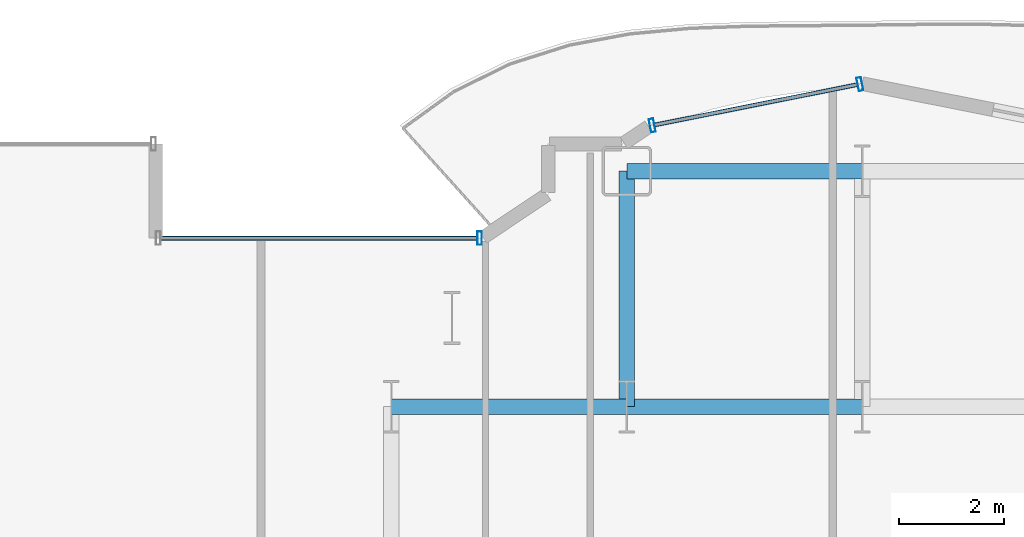
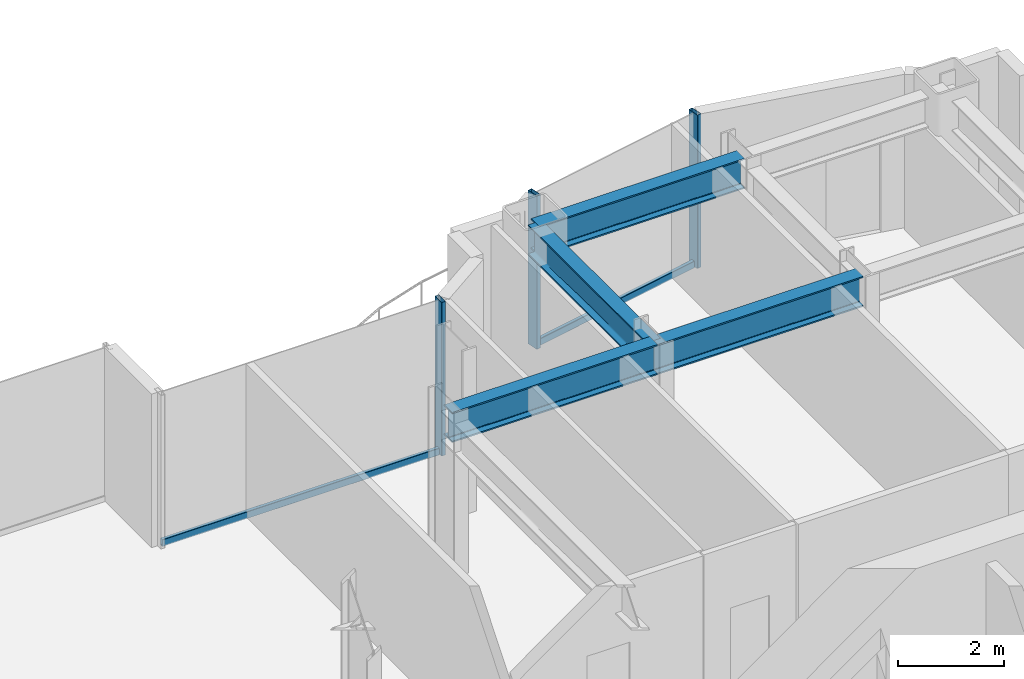
# One storey, part 13 of 29: 5 members, 4 beams, 2 elements without a shape of their own.
"""IFC4 building model written with IfcOpenShell, lengths in metres."""

from ifc_helpers import new_model, si_unit, direction, frame, origin, origin_2d, place, context, subcontext, project, spatial, hollow_rectangle, i_section, extrude, source, transform, mapped, material, layer, layer_set, material_profile, profile_set, type_object, element, aggregate, save


model = new_model("IFC4")

# Units and contexts
model_context = context("Model", 3, precision=1e-05, world=origin(), true_north=direction((0.0, 1.0)))
body_context = subcontext(model_context, "Body", "Model", "MODEL_VIEW")
ifc_project = project(units=[si_unit("LENGTHUNIT", "METRE"), si_unit("AREAUNIT", "SQUARE_METRE"), si_unit("VOLUMEUNIT", "CUBIC_METRE"), si_unit("PLANEANGLEUNIT", "RADIAN"), si_unit("MASSUNIT", "GRAM", prefix="KILO")], contexts=[model_context])

# Site, building, storey
site_placement = place(None, origin())
site = spatial("IfcSite", under=ifc_project, at=site_placement, CompositionType="ELEMENT")
building_placement = place(site_placement, origin())
building = spatial("IfcBuilding", under=site, at=building_placement, Name="Nefas-Gora Pilgrimage Tower", CompositionType="ELEMENT")
storey_placement = place(building_placement, frame((0.0, 0.0, 67.199951171875)))
storey = spatial("IfcBuildingStorey", under=building, at=storey_placement, Name="L15", CompositionType="ELEMENT", Elevation=67.199951171875)

# Beams
ifc_material_1 = material(Name="Steel S355", Category="steel")
ifc_material_profile_1 = material_profile(ifc_material_1, i_section(OverallWidth=0.300048828125, OverallDepth=0.699951171875, WebThickness=0.01708984375, FlangeThickness=0.031982421875, FilletRadius=0.027099609375, at=origin_2d()), Name="HEB 700")
ifc_profile_set_1 = profile_set([ifc_material_profile_1], Name="Steel S355")
beam_type = type_object("IfcBeamType", Name="BM-GIR-HEB700", PredefinedType="BEAM", material=ifc_profile_set_1)
shared_shape_1 = source(origin(), body_context, "Body", "SweptSolid", [
    extrude(i_section(OverallWidth=0.300048828125, OverallDepth=0.699951171875, WebThickness=0.01708984375, FlangeThickness=0.031982421875, FilletRadius=0.027099609375, at=origin_2d()), origin(), (0.0, 0.0, 1.0), 4.5),
])
for number, where, z_axis, x_axis, name in (
    (1, (-11.25, 18.0, 3.199951171875), (1.0, 0.0, 0.0), (0.0, 1.0, 0.0), "L15 G-02 beam"),
    (2, (-6.75, 18.0, 3.199951171875), (0.0, 1.0, 0.0), (-1.0, 0.0, 0.0), "L15 G-02 beam"),
    (3, (-6.75, 18.0, 3.199951171875), (1.0, 0.0, 0.0), (0.0, 1.0, 0.0), "L15 G-02 beam"),
    (4, (-6.75, 22.5, 3.199951171875), (1.0, 0.0, 0.0), (0.0, 1.0, 0.0), "L15 G-02 beam"),
):
    element("IfcBeam", number, at=place(storey_placement, frame(where, z_axis=z_axis, x_axis=x_axis)), inside=storey, type_object=beam_type, Name=name, PredefinedType="BEAM", context=body_context, shape_type="MappedRepresentation", body=[
        mapped(shared_shape_1, transform((0.0, 0.0, 0.0), x_axis=(1.0, 0.0, 0.0), y_axis=(0.0, 1.0, 0.0), z_axis=(0.0, 0.0, 1.0), scale=1.0)),
    ])

# Curtain wall, members
ifc_material_2 = material(Name="Dark ceramic-fritted solar-control aluminium-glass curtain wall", Category="aluminium")
ifc_layer = layer(ifc_material_2, 0.219970703125)
ifc_layer_set = layer_set([ifc_layer], Name="Dark ceramic-fritted solar-control aluminium-glass curtain wall")
curtain_wall_type = type_object("IfcCurtainWallType", Name="CW-SYS-5", PredefinedType="NOTDEFINED", material=ifc_layer_set)
curtain_wall_1_placement = place(storey_placement, origin())
curtain_wall_1 = element("IfcCurtainWall", 5, at=curtain_wall_1_placement, inside=storey, type_object=curtain_wall_type, Name="L15 Unitised Curtain Wall CW5", PredefinedType="NOTDEFINED")
ifc_material_3 = material(Name="Anodised architectural aluminium", Category="aluminium")
ifc_material_profile_2 = material_profile(ifc_material_3, hollow_rectangle(XDim=0.090087890625, YDim=0.260009765625, WallThickness=0.006103515625, InnerFilletRadius=0.006103515625, OuterFilletRadius=0.011962890625, at=origin_2d()), Name="ALU MULLION 90x260")
ifc_profile_set_2 = profile_set([ifc_material_profile_2], Name="Anodised architectural aluminium")
member_type_1 = type_object("IfcMemberType", Name="CWM-MUL-5", PredefinedType="MULLION", material=ifc_profile_set_2)
shared_shape_2 = source(origin(), body_context, "Body", "SweptSolid", [
    extrude(hollow_rectangle(XDim=0.090087890625, YDim=0.260009765625, WallThickness=0.006103515625, InnerFilletRadius=0.006103515625, OuterFilletRadius=0.011962890625, at=origin_2d()), origin(), (0.0, 0.0, 1.0), 3.550048828125),
])
member_1_placement = place(storey_placement, frame((-2.294189453125, 24.16357421875, 0.0), z_axis=(0.0, 0.0, 1.0), x_axis=(-0.980782896852, -0.195102304554, 0.0)))
member_1 = element("IfcMember", 6, at=member_1_placement, type_object=member_type_1, Name="CW5 Mullion 1", PredefinedType="MULLION", context=body_context, shape_type="MappedRepresentation", body=[
    mapped(shared_shape_2, transform((0.0, 0.0, 0.0), x_axis=(1.0, 0.0, 0.0), y_axis=(0.0, 1.0, 0.0), z_axis=(0.0, 0.0, 1.0), scale=1.0)),
])
member_2_placement = place(storey_placement, frame((-6.26318359375, 23.3740234375, 0.0), z_axis=(0.0, 0.0, 1.0), x_axis=(-0.980782896852, -0.195102304554, 0.0)))
member_2 = element("IfcMember", 7, at=member_2_placement, type_object=member_type_1, Name="CW5 Mullion 2", PredefinedType="MULLION", context=body_context, shape_type="MappedRepresentation", body=[
    mapped(shared_shape_2, transform((0.0, 0.0, 0.0), x_axis=(1.0, 0.0, 0.0), y_axis=(0.0, 1.0, 0.0), z_axis=(0.0, 0.0, 1.0), scale=1.0)),
])

curtain_wall_2_placement = place(storey_placement, origin())
curtain_wall_2 = element("IfcCurtainWall", 8, at=curtain_wall_2_placement, inside=storey, type_object=curtain_wall_type, Name="L15 Unitised Curtain Wall CW5", PredefinedType="NOTDEFINED")
member_3_placement = place(storey_placement, frame((-9.56298828125, 21.219970703125, 0.0), z_axis=(0.0, 0.0, 1.0), x_axis=(-1.0, 0.0, 0.0)))
member_3 = element("IfcMember", 9, at=member_3_placement, type_object=member_type_1, Name="CW5 Mullion 1", PredefinedType="MULLION", context=body_context, shape_type="MappedRepresentation", body=[
    mapped(shared_shape_2, transform((0.0, 0.0, 0.0), x_axis=(1.0, 0.0, 0.0), y_axis=(0.0, 1.0, 0.0), z_axis=(0.0, 0.0, 1.0), scale=1.0)),
])
ifc_material_profile_3 = material_profile(ifc_material_3, hollow_rectangle(XDim=0.080078125, YDim=0.159912109375, WallThickness=0.00439453125, InnerFilletRadius=0.00439453125, OuterFilletRadius=0.009033203125, at=origin_2d()), Name="ALU TRANSOM 80x160")
ifc_profile_set_3 = profile_set([ifc_material_profile_3], Name="Anodised architectural aluminium")
member_type_2 = type_object("IfcMemberType", Name="CWM-TRN-5", PredefinedType="USERDEFINED", material=ifc_profile_set_3)
shared_shape_3 = source(origin(), body_context, "Body", "SweptSolid", [
    extrude(hollow_rectangle(XDim=0.080078125, YDim=0.159912109375, WallThickness=0.00439453125, InnerFilletRadius=0.00439453125, OuterFilletRadius=0.009033203125, at=origin_2d()), origin(), (0.0, 0.0, 1.0), 6.052001953125),
])
member_4_placement = place(storey_placement, frame((-9.60791015625, 21.219970703125, 0.050048828125), z_axis=(-1.0, 0.0, 0.0), x_axis=(0.0, -1.0, 0.0)))
member_4 = element("IfcMember", 10, at=member_4_placement, type_object=member_type_2, Name="CW5 Spandrel Transom", ObjectType="TRANSOM", PredefinedType="USERDEFINED", context=body_context, shape_type="MappedRepresentation", body=[
    mapped(shared_shape_3, transform((0.0, 0.0, 0.0), x_axis=(1.0, 0.0, 0.0), y_axis=(0.0, 1.0, 0.0), z_axis=(0.0, 0.0, 1.0), scale=1.0)),
])
aggregate(curtain_wall_2, [member_3, member_4])

# Member
shared_shape_4 = source(origin(), body_context, "Body", "SweptSolid", [
    extrude(hollow_rectangle(XDim=0.080078125, YDim=0.159912109375, WallThickness=0.00439453125, InnerFilletRadius=0.00439453125, OuterFilletRadius=0.009033203125, at=origin_2d()), origin(), (0.0, 0.0, 1.0), 3.95654296875),
])
member_5_placement = place(storey_placement, frame((-2.33837890625, 24.15478515625, 0.050048828125), z_axis=(-0.980781880918, -0.195107411605, 0.0), x_axis=(0.195107411605, -0.980781880918, 0.0)))
member_5 = element("IfcMember", 11, at=member_5_placement, type_object=member_type_2, Name="CW5 Spandrel Transom", ObjectType="TRANSOM", PredefinedType="USERDEFINED", context=body_context, shape_type="MappedRepresentation", body=[
    mapped(shared_shape_4, transform((0.0, 0.0, 0.0), x_axis=(1.0, 0.0, 0.0), y_axis=(0.0, 1.0, 0.0), z_axis=(0.0, 0.0, 1.0), scale=1.0)),
])

aggregate(curtain_wall_1, [member_1, member_2, member_5])

save(model, "model.ifc")
